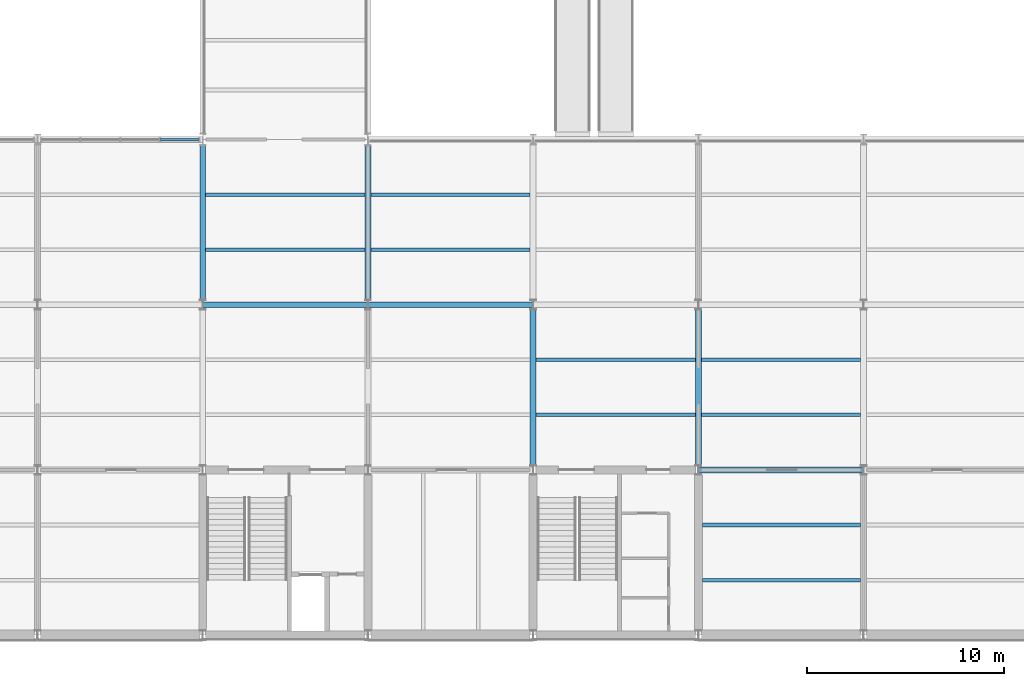
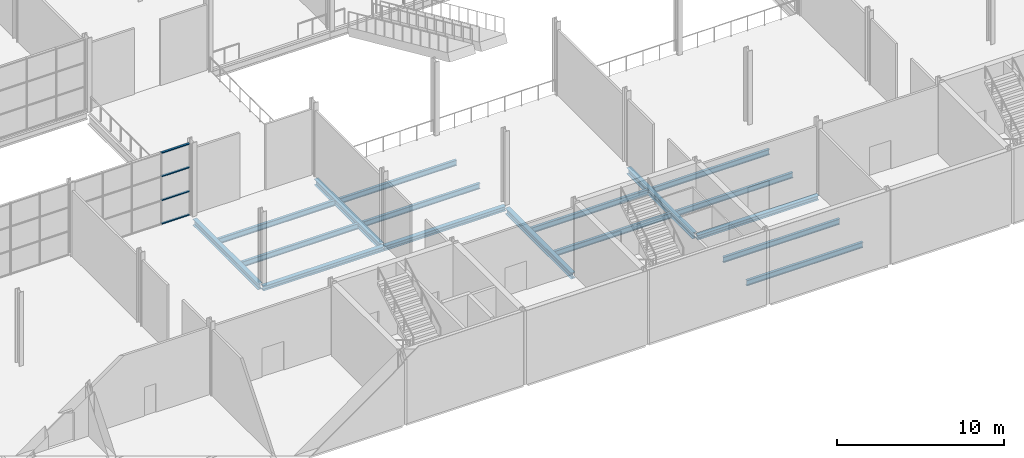
# One storey, part 14 of 64: 17 beams, 4 members, 1 element without a shape of its own.
"""IFC4 building model written with IfcOpenShell, lengths in metres."""

from ifc_helpers import new_model, si_unit, direction, frame, origin, origin_2d, place, context, subcontext, project, spatial, rectangle, i_section, extrude, material, layer, layer_set, material_profile, profile_set, type_object, element, aggregate, save


model = new_model("IFC4")

# Units and contexts
model_context = context("Model", 3, precision=1e-05, world=origin(), true_north=direction((0.0, 1.0)))
body_context = subcontext(model_context, "Body", "Model", "MODEL_VIEW")
ifc_project = project(units=[si_unit("LENGTHUNIT", "METRE"), si_unit("AREAUNIT", "SQUARE_METRE"), si_unit("VOLUMEUNIT", "CUBIC_METRE"), si_unit("PLANEANGLEUNIT", "RADIAN"), si_unit("MASSUNIT", "GRAM", prefix="KILO")], contexts=[model_context])

# Site, building, storey
site_placement = place(None, origin())
site = spatial("IfcSite", under=ifc_project, at=site_placement, CompositionType="ELEMENT")
building_placement = place(site_placement, origin())
building = spatial("IfcBuilding", under=site, at=building_placement, Name="Galleria Vessillo Department Store", CompositionType="ELEMENT")
storey_placement = place(building_placement, frame((0.0, 0.0, 6.0)))
storey = spatial("IfcBuildingStorey", under=building, at=storey_placement, Name="L01", CompositionType="ELEMENT", Elevation=6.0)

# Curtain wall, members
ifc_material_1 = material(Name="Aluminium and glass curtain wall", Category="aluminium")
ifc_layer = layer(ifc_material_1, 0.199951171875)
ifc_layer_set = layer_set([ifc_layer], Name="Aluminium and glass curtain wall")
curtain_wall_type = type_object("IfcCurtainWallType", Name="Arcade curtain wall CW1 2100 module", PredefinedType="NOTDEFINED", material=ifc_layer_set)
curtain_wall_placement = place(storey_placement, origin())
curtain_wall = element("IfcCurtainWall", 1, at=curtain_wall_placement, inside=storey, type_object=curtain_wall_type, Name="Arcade curtain wall CW1 2100 module AI-AW-S-L01-02", PredefinedType="NOTDEFINED")
ifc_material_2 = material(Name="Aluminium alloy 6063 T6", Category="aluminium")
ifc_material_profile_1 = material_profile(ifc_material_2, rectangle(XDim=0.139892578125, YDim=0.070068359375, at=origin_2d()), Name="AL 70x140")
ifc_profile_set_1 = profile_set([ifc_material_profile_1], Name="Aluminium alloy 6063 T6")
member_type = type_object("IfcMemberType", Name="Aluminium transom 70 x 140", PredefinedType="USERDEFINED", material=ifc_profile_set_1)
member_1_placement = place(storey_placement, frame((31.453857421875, 25.199951171875, 0.034912109375), z_axis=(1.0, 0.0, 0.0), x_axis=(0.0, 1.0, 0.0)))
member_1 = element("IfcMember", 2, at=member_1_placement, type_object=member_type, Name="CW1 transom 4.1", ObjectType="TRANSOM", PredefinedType="USERDEFINED", context=body_context, shape_type="SweptSolid", body=[
    extrude(rectangle(XDim=0.139892578125, YDim=0.070068359375, at=origin_2d()), origin(), (0.0, 0.0, 1.0), 1.93359375),
])
member_2_placement = place(storey_placement, frame((31.453857421875, 25.199951171875, 1.75), z_axis=(1.0, 0.0, 0.0), x_axis=(0.0, 1.0, 0.0)))
member_2 = element("IfcMember", 3, at=member_2_placement, type_object=member_type, Name="CW1 transom 4.2", ObjectType="TRANSOM", PredefinedType="USERDEFINED", context=body_context, shape_type="SweptSolid", body=[
    extrude(rectangle(XDim=0.139892578125, YDim=0.070068359375, at=origin_2d()), origin(), (0.0, 0.0, 1.0), 1.93359375),
])
member_3_placement = place(storey_placement, frame((31.453857421875, 25.199951171875, 3.5), z_axis=(1.0, 0.0, 0.0), x_axis=(0.0, 1.0, 0.0)))
member_3 = element("IfcMember", 4, at=member_3_placement, type_object=member_type, Name="CW1 transom 4.3", ObjectType="TRANSOM", PredefinedType="USERDEFINED", context=body_context, shape_type="SweptSolid", body=[
    extrude(rectangle(XDim=0.139892578125, YDim=0.070068359375, at=origin_2d()), origin(), (0.0, 0.0, 1.0), 1.93359375),
])
member_4_placement = place(storey_placement, frame((31.453857421875, 25.199951171875, 5.215087890625), z_axis=(1.0, 0.0, 0.0), x_axis=(0.0, 1.0, 0.0)))
member_4 = element("IfcMember", 5, at=member_4_placement, type_object=member_type, Name="CW1 transom 4.4", ObjectType="TRANSOM", PredefinedType="USERDEFINED", context=body_context, shape_type="SweptSolid", body=[
    extrude(rectangle(XDim=0.139892578125, YDim=0.070068359375, at=origin_2d()), origin(), (0.0, 0.0, 1.0), 1.93359375),
])
aggregate(curtain_wall, [member_1, member_2, member_3, member_4])

# Beams
ifc_material_3 = material(Name="Steel S355 J2", Category="steel")
ifc_material_profile_2 = material_profile(ifc_material_3, i_section(OverallWidth=0.300048828125, OverallDepth=0.43994140625, WebThickness=0.011474609375, FlangeThickness=0.02099609375, FilletRadius=0.027099609375, at=origin_2d()), Name="HEA 450")
ifc_profile_set_2 = profile_set([ifc_material_profile_2], Name="Steel S355 J2")
beam_type_1 = type_object("IfcBeamType", Name="Floor girder HEA 450", PredefinedType="BEAM", material=ifc_profile_set_2)
for number, where, z_axis, x_axis, name in (
    (6, (33.60009765625, 17.050048828125, -0.369873046875), (0.0, 1.0, 0.0), (-1.0, 0.0, 0.0), "S-BM-L01-GI-y33600-17050"),
    (7, (42.0, 17.050048828125, -0.369873046875), (0.0, 1.0, 0.0), (-1.0, 0.0, 0.0), "S-BM-L01-GI-y42000-17050"),
):
    element("IfcBeam", number, at=place(storey_placement, frame(where, z_axis=z_axis, x_axis=x_axis)), inside=storey, type_object=beam_type_1, Name=name, PredefinedType="BEAM", context=body_context, shape_type="SweptSolid", body=[
        extrude(i_section(OverallWidth=0.300048828125, OverallDepth=0.43994140625, WebThickness=0.011474609375, FlangeThickness=0.02099609375, FilletRadius=0.027099609375, at=origin_2d()), origin(), (0.0, 0.0, 1.0), 7.83984375),
    ])
for number, where, z_axis, x_axis, name in (
    (8, (50.39990234375, 8.650146484375, -0.369873046875), (0.0, 1.0, 0.0), (-1.0, 0.0, 0.0), "S-BM-L01-GI-y50400-8650"),
    (9, (58.800048828125, 8.650146484375, -0.369873046875), (0.0, 1.0, 0.0), (-1.0, 0.0, 0.0), "S-BM-L01-GI-y58800-8650"),
):
    element("IfcBeam", number, at=place(storey_placement, frame(where, z_axis=z_axis, x_axis=x_axis)), inside=storey, type_object=beam_type_1, Name=name, PredefinedType="BEAM", context=body_context, shape_type="SweptSolid", body=[
        extrude(i_section(OverallWidth=0.300048828125, OverallDepth=0.43994140625, WebThickness=0.011474609375, FlangeThickness=0.02099609375, FilletRadius=0.027099609375, at=origin_2d()), origin(), (0.0, 0.0, 1.0), 7.899658203125),
    ])
ifc_material_4 = material(Name="Steel S355 J2", Category="steel")
ifc_material_profile_3 = material_profile(ifc_material_4, i_section(OverallWidth=0.179931640625, OverallDepth=0.39990234375, WebThickness=0.008544921875, FlangeThickness=0.013427734375, FilletRadius=0.02099609375, at=origin_2d()), Name="IPE 400")
ifc_profile_set_3 = profile_set([ifc_material_profile_3], Name="Steel S355 J2")
beam_type_2 = type_object("IfcBeamType", Name="Floor joist IPE 400", PredefinedType="JOIST", material=ifc_profile_set_3)
for number, where, z_axis, x_axis, name in (
    (10, (33.750244140625, 19.60009765625, -0.349853515625), (1.0, 0.0, 0.0), (0.0, 1.0, 0.0), "S-BM-L01-JO-x19600-33750"),
    (11, (33.750244140625, 22.39990234375, -0.349853515625), (1.0, 0.0, 0.0), (0.0, 1.0, 0.0), "S-BM-L01-JO-x22400-33750"),
    (12, (42.150146484375, 19.60009765625, -0.349853515625), (1.0, 0.0, 0.0), (0.0, 1.0, 0.0), "S-BM-L01-JO-x19600-42150"),
    (13, (42.150146484375, 22.39990234375, -0.349853515625), (1.0, 0.0, 0.0), (0.0, 1.0, 0.0), "S-BM-L01-JO-x22400-42150"),
):
    element("IfcBeam", number, at=place(storey_placement, frame(where, z_axis=z_axis, x_axis=x_axis)), inside=storey, type_object=beam_type_2, Name=name, PredefinedType="JOIST", context=body_context, shape_type="SweptSolid", body=[
        extrude(i_section(OverallWidth=0.179931640625, OverallDepth=0.39990234375, WebThickness=0.008544921875, FlangeThickness=0.013427734375, FilletRadius=0.02099609375, at=origin_2d()), origin(), (0.0, 0.0, 1.0), 8.099609375),
    ])
for number, where, z_axis, x_axis, name in (
    (14, (50.550048828125, 11.199951171875, -0.349853515625), (1.0, 0.0, 0.0), (0.0, 1.0, 0.0), "S-BM-L01-JO-x11200-50550"),
    (15, (50.550048828125, 14.0, -0.349853515625), (1.0, 0.0, 0.0), (0.0, 1.0, 0.0), "S-BM-L01-JO-x14000-50550"),
):
    element("IfcBeam", number, at=place(storey_placement, frame(where, z_axis=z_axis, x_axis=x_axis)), inside=storey, type_object=beam_type_2, Name=name, PredefinedType="JOIST", context=body_context, shape_type="SweptSolid", body=[
        extrude(i_section(OverallWidth=0.179931640625, OverallDepth=0.39990234375, WebThickness=0.008544921875, FlangeThickness=0.013427734375, FilletRadius=0.02099609375, at=origin_2d()), origin(), (0.0, 0.0, 1.0), 8.099853515625),
    ])
for number, where, z_axis, x_axis, name in (
    (16, (59.000244140625, 2.800048828125, -0.349853515625), (1.0, 0.0, 0.0), (0.0, 1.0, 0.0), "S-BM-L01-JO-x2800-59000"),
    (17, (59.000244140625, 5.60009765625, -0.349853515625), (1.0, 0.0, 0.0), (0.0, 1.0, 0.0), "S-BM-L01-JO-x5600-59000"),
):
    element("IfcBeam", number, at=place(storey_placement, frame(where, z_axis=z_axis, x_axis=x_axis)), inside=storey, type_object=beam_type_2, Name=name, PredefinedType="JOIST", context=body_context, shape_type="SweptSolid", body=[
        extrude(i_section(OverallWidth=0.179931640625, OverallDepth=0.39990234375, WebThickness=0.008544921875, FlangeThickness=0.013427734375, FilletRadius=0.02099609375, at=origin_2d()), origin(), (0.0, 0.0, 1.0), 8.049560546875),
    ])
for number, where, z_axis, x_axis, name in (
    (18, (58.9501953125, 11.199951171875, -0.349853515625), (1.0, 0.0, 0.0), (0.0, 1.0, 0.0), "S-BM-L01-JO-x11200-58950"),
    (19, (58.9501953125, 14.0, -0.349853515625), (1.0, 0.0, 0.0), (0.0, 1.0, 0.0), "S-BM-L01-JO-x14000-58950"),
):
    element("IfcBeam", number, at=place(storey_placement, frame(where, z_axis=z_axis, x_axis=x_axis)), inside=storey, type_object=beam_type_2, Name=name, PredefinedType="JOIST", context=body_context, shape_type="SweptSolid", body=[
        extrude(i_section(OverallWidth=0.179931640625, OverallDepth=0.39990234375, WebThickness=0.008544921875, FlangeThickness=0.013427734375, FilletRadius=0.02099609375, at=origin_2d()), origin(), (0.0, 0.0, 1.0), 8.099609375),
    ])
ifc_material_5 = material(Name="Steel S355 J2", Category="steel")
ifc_material_profile_4 = material_profile(ifc_material_5, i_section(OverallWidth=0.300048828125, OverallDepth=0.330078125, WebThickness=0.009521484375, FlangeThickness=0.0166015625, FilletRadius=0.027099609375, at=origin_2d()), Name="HEA 340")
ifc_profile_set_4 = profile_set([ifc_material_profile_4], Name="Steel S355 J2")
beam_type_3 = type_object("IfcBeamType", Name="Floor tie girder HEA 340", PredefinedType="BEAM", material=ifc_profile_set_4)
for number, where, z_axis, x_axis, name in (
    (20, (58.807373046875, 8.39990234375, -0.31494140625), (1.0, 0.0, 0.0), (0.0, 1.0, 0.0), "S-BM-L01-TI-x8400-58807"),
    (21, (33.607421875, 16.800048828125, -0.31494140625), (1.0, 0.0, 0.0), (0.0, 1.0, 0.0), "S-BM-L01-TI-x16800-33607"),
    (22, (42.00732421875, 16.800048828125, -0.31494140625), (1.0, 0.0, 0.0), (0.0, 1.0, 0.0), "S-BM-L01-TI-x16800-42007"),
):
    element("IfcBeam", number, at=place(storey_placement, frame(where, z_axis=z_axis, x_axis=x_axis)), inside=storey, type_object=beam_type_3, Name=name, PredefinedType="BEAM", context=body_context, shape_type="SweptSolid", body=[
        extrude(i_section(OverallWidth=0.300048828125, OverallDepth=0.330078125, WebThickness=0.009521484375, FlangeThickness=0.0166015625, FilletRadius=0.027099609375, at=origin_2d()), origin(), (0.0, 0.0, 1.0), 8.38525390625),
    ])

save(model, "model.ifc")
